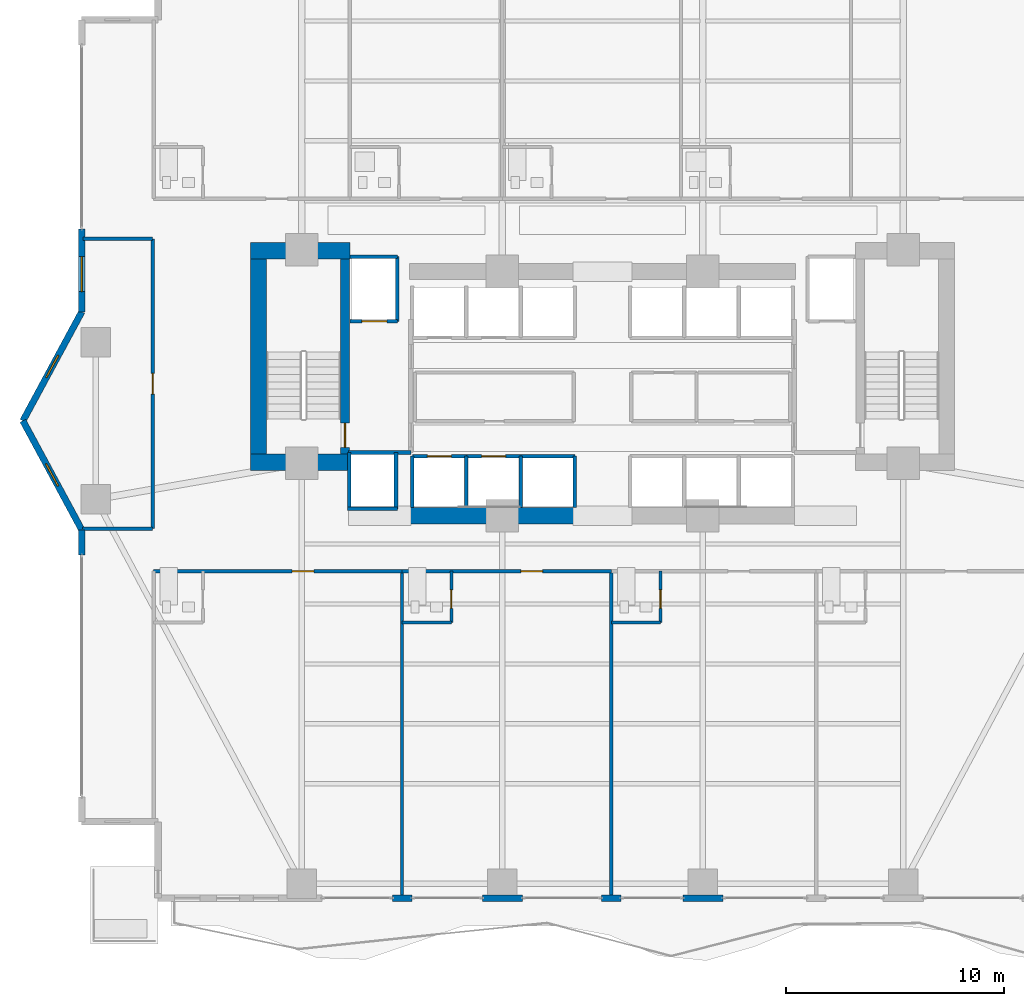
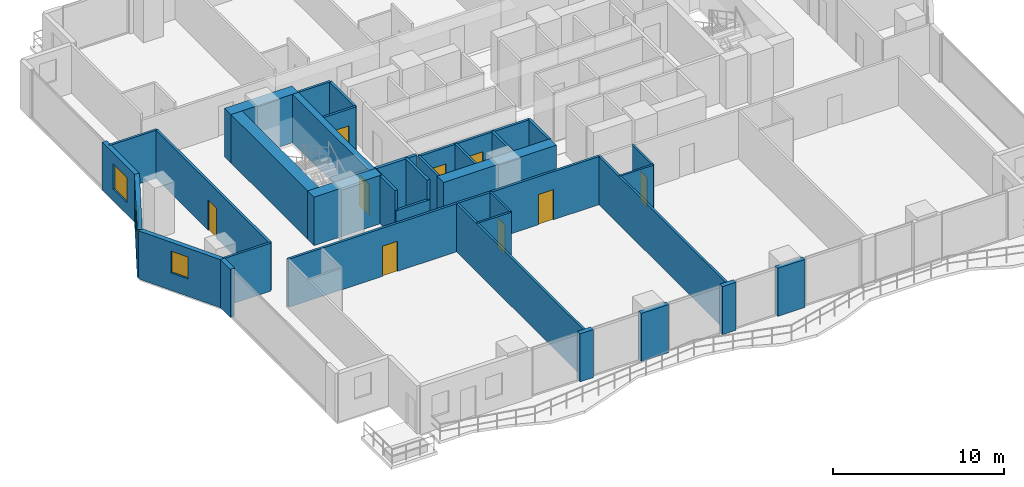
# One storey, part 20 of 28: 38 walls, 9 doors, 3 windows, 12 openings.
"""IFC4 building model written with IfcOpenShell, lengths in metres."""

import ifcopenshell
import ifcopenshell.guid

model = None  # the IFC model being written
_history = None  # IfcOwnerHistory: only IFC2X3 demands one
_inside = {}  # id of a spatial element -> (the spatial element, [elements in it])
_under = {}  # id of a project, library or spatial element -> (it, [spatial elements below it])
_declared = {}  # id of a project -> (the project, [libraries it declares])
_typed = {}  # id of a type object -> (the type object, [elements of that type])
_made_of = {}  # id of a material, layer set ... -> (it, [elements and type objects made of it])


def new_model(schema):
    """Start an empty IFC model of exactly this schema.

    Asked for "IFC4X3", IfcOpenShell would pick the latest addendum, in which some entities
    have other attributes; the version numbers below select the first issue.
    IFC2X3 requires an IfcOwnerHistory on every rooted entity: one is made here for all.
    """
    global model, _history
    if schema == "IFC4X3":
        model = ifcopenshell.file(schema_version=(4, 3, 0, 0))
    else:
        model = ifcopenshell.file(schema=schema)
    _inside.clear()
    _under.clear()
    _declared.clear()
    _typed.clear()
    _made_of.clear()
    _history = None
    if model.schema == "IFC2X3":
        org = make("IfcOrganization", Name="unknown")
        user = make(
            "IfcPersonAndOrganization",
            ThePerson=make("IfcPerson", FamilyName="unknown"),
            TheOrganization=org,
        )
        app = make(
            "IfcApplication",
            ApplicationDeveloper=org,
            Version="unknown",
            ApplicationFullName="unknown",
            ApplicationIdentifier="unknown",
        )
        _history = make(
            "IfcOwnerHistory",
            OwningUser=user,
            OwningApplication=app,
            ChangeAction="ADDED",
            CreationDate=0,
        )
    return model


def make(cls, **values):
    """One entity of the class cls with the attributes given. An attribute that is None is left unset."""
    return model.create_entity(
        cls, **{name: value for name, value in values.items() if value is not None}
    )


def rooted(cls, **values):
    """An entity with a GlobalId (a new one), such as an element, a storey or a relation."""
    return make(cls, GlobalId=ifcopenshell.guid.new(), OwnerHistory=_history, **values)


def si_unit(unit_type, name, prefix=None):
    """IfcSIUnit, for example si_unit("LENGTHUNIT", "METRE", prefix="MILLI")."""
    return make("IfcSIUnit", UnitType=unit_type, Prefix=prefix, Name=name)


def assignment(units):
    """IfcUnitAssignment: the units of a project."""
    return None if units is None else make("IfcUnitAssignment", Units=units)


def point(xyz):
    """IfcCartesianPoint."""
    return None if xyz is None else make("IfcCartesianPoint", Coordinates=xyz)


def direction(xyz):
    """IfcDirection."""
    return None if xyz is None else make("IfcDirection", DirectionRatios=xyz)


def frame(location, z_axis=None, x_axis=None):
    """IfcAxis2Placement3D, a coordinate frame: its origin and axes. An axis left out is left unset."""
    return make(
        "IfcAxis2Placement3D",
        Location=point(location),
        Axis=direction(z_axis),
        RefDirection=direction(x_axis),
    )


def frame_2d(location, x_axis=None):
    """IfcAxis2Placement2D, a coordinate frame in the plane: its origin and x axis."""
    return make(
        "IfcAxis2Placement2D", Location=point(location), RefDirection=direction(x_axis)
    )


def origin():
    """The frame at (0, 0, 0) with its axes left unset."""
    return frame((0.0, 0.0, 0.0))


def place(relative_to, where):
    """IfcLocalPlacement: puts the frame where relative to a parent placement (None: the world)."""
    return make(
        "IfcLocalPlacement", PlacementRelTo=relative_to, RelativePlacement=where
    )


def context(
    kind, dimensions, precision=None, world=None, true_north=None, identifier=None
):
    """IfcGeometricRepresentationContext, for example the 3D "Model" context."""
    return make(
        "IfcGeometricRepresentationContext",
        ContextIdentifier=identifier,
        ContextType=kind,
        CoordinateSpaceDimension=dimensions,
        Precision=precision,
        WorldCoordinateSystem=world,
        TrueNorth=true_north,
    )


def subcontext(parent, identifier, kind, view, scale=None):
    """IfcGeometricRepresentationSubContext, for example "Body" below "Model"."""
    return make(
        "IfcGeometricRepresentationSubContext",
        ContextIdentifier=identifier,
        ContextType=kind,
        ParentContext=parent,
        TargetScale=scale,
        TargetView=view,
    )


def project(units=None, contexts=None):
    """IfcProject with its units and contexts."""
    return rooted(
        "IfcProject",
        Name="project",
        RepresentationContexts=contexts,
        UnitsInContext=assignment(units),
    )


def spatial(cls, under=None, at=None, **own):
    """A site, building, storey or space (cls), placed at a placement, below another one or the project."""
    s = rooted(cls, ObjectPlacement=at, **own)
    if under is not None:
        _under.setdefault(under.id(), (under, []))[1].append(s)
    return s


def profile(cls, at=None, kind="AREA", **sizes):
    """A parametric profile (cls). Its sizes go by their IFC names, for example OverallWidth=200.0."""
    return make(cls, ProfileType=kind, Position=at, **sizes)


def rectangle(**sizes):
    """IfcRectangleProfileDef."""
    return profile("IfcRectangleProfileDef", **sizes)


def extrude(swept, where, along, depth):
    """IfcExtrudedAreaSolid: the profile swept, set in the frame where, extruded along a direction by depth."""
    return make(
        "IfcExtrudedAreaSolid",
        SweptArea=swept,
        Position=where,
        ExtrudedDirection=direction(along),
        Depth=depth,
    )


def shape(context_of_items, identifier, shape_type, items):
    """IfcShapeRepresentation: the items that make up one representation, for example the "Body"."""
    return make(
        "IfcShapeRepresentation",
        ContextOfItems=context_of_items,
        RepresentationIdentifier=identifier,
        RepresentationType=shape_type,
        Items=items,
    )


def material(Name=None, Category=None):
    """IfcMaterial."""
    return make("IfcMaterial", Name=Name, Category=Category)


def layer(
    of_material, thickness, ventilated=None, Name=None, Category=None, Priority=None
):
    """IfcMaterialLayer: one layer of a wall or slab, of a material (None: an air gap)."""
    return make(
        "IfcMaterialLayer",
        Material=of_material,
        LayerThickness=thickness,
        IsVentilated=ventilated,
        Name=Name,
        Category=Category,
        Priority=Priority,
    )


def layer_set(layers, Name=None):
    """IfcMaterialLayerSet."""
    return make("IfcMaterialLayerSet", MaterialLayers=layers, LayerSetName=Name)


def made_of(thing, what):
    """Note that an element or type object is made of a material, layer set ...; save() writes the relation."""
    if what is not None:
        _made_of.setdefault(what.id(), (what, []))[1].append(thing)
    return thing


def type_object(cls, material=None, **own):
    """A type object (cls), such as IfcWallType, which elements share."""
    return made_of(rooted(cls, **own), material)


def element(
    cls,
    number,
    at=None,
    inside=None,
    cuts=None,
    type_object=None,
    material=None,
    context=None,
    identifier="Body",
    shape_type=None,
    held_by="IfcProductDefinitionShape",
    body=None,
    shapes=None,
    **own,
):
    """One element of the class cls, such as IfcWall. Its Tag is "e" and its number.

    at: its placement. inside: the storey or other place that contains it. cuts: it is an
    opening in that element (IfcRelVoidsElement). A single representation is given by context,
    identifier, shape_type and body (its items); several are given by shapes. held_by: the class
    of the entity that holds the representations. save() writes the other relations.
    """
    e = rooted(cls, Tag="e%d" % number, ObjectPlacement=at, **own)
    if body is not None:
        shapes = [shape(context, identifier, shape_type, body)]
    if shapes is not None:
        e.Representation = make(held_by, Representations=shapes)
    if inside is not None:
        _inside.setdefault(inside.id(), (inside, []))[1].append(e)
    if cuts is not None:
        rooted(
            "IfcRelVoidsElement", RelatingBuildingElement=cuts, RelatedOpeningElement=e
        )
    if type_object is not None:
        _typed.setdefault(type_object.id(), (type_object, []))[1].append(e)
    return made_of(e, material)


def fill(opening, filler):
    """IfcRelFillsElement: the door or window that sits in an opening."""
    return rooted(
        "IfcRelFillsElement",
        RelatingOpeningElement=opening,
        RelatedBuildingElement=filler,
    )


def aggregate(whole, parts):
    """IfcRelAggregates: a whole, such as a stair, and the parts it consists of."""
    return rooted("IfcRelAggregates", RelatingObject=whole, RelatedObjects=parts)


def save(model, path):
    """Write the relations noted so far, then the file.

    IfcRelAggregates (storeys below a building ...), IfcRelContainedInSpatialStructure (elements
    in a storey), IfcRelDefinesByType, IfcRelAssociatesMaterial and IfcRelDeclares: one each for
    every whole, place, type object, material and project.
    """
    for whole, parts in _under.values():
        aggregate(whole, parts)
    for where, things in _inside.values():
        rooted(
            "IfcRelContainedInSpatialStructure",
            RelatedElements=things,
            RelatingStructure=where,
        )
    for kind, things in _typed.values():
        rooted("IfcRelDefinesByType", RelatedObjects=things, RelatingType=kind)
    for what, things in _made_of.values():
        rooted("IfcRelAssociatesMaterial", RelatedObjects=things, RelatingMaterial=what)
    for by, libraries in _declared.values():
        rooted("IfcRelDeclares", RelatingContext=by, RelatedDefinitions=libraries)
    model.write(path)


model = new_model("IFC4")

# Units and contexts
model_context = context("Model", 3, precision=1e-05, world=origin(), true_north=direction((0.0, 1.0)))
body_context = subcontext(model_context, "Body", "Model", "MODEL_VIEW")
ifc_project = project(units=[si_unit("LENGTHUNIT", "METRE"), si_unit("AREAUNIT", "SQUARE_METRE"), si_unit("VOLUMEUNIT", "CUBIC_METRE"), si_unit("PLANEANGLEUNIT", "RADIAN"), si_unit("MASSUNIT", "GRAM", prefix="KILO")], contexts=[model_context])

# Site, building, storey
site_placement = place(None, origin())
site = spatial("IfcSite", under=ifc_project, at=site_placement, CompositionType="ELEMENT")
building_placement = place(site_placement, origin())
building = spatial("IfcBuilding", under=site, at=building_placement, Name="Zuhayl Quay Hotel", CompositionType="ELEMENT")
storey_placement = place(building_placement, frame((0.0, 0.0, 121.199951171875)))
storey = spatial("IfcBuildingStorey", under=building, at=storey_placement, Name="L30", CompositionType="ELEMENT", Elevation=121.199951171875)

# Walls
ifc_material_1 = material(Name="Concrete C60/75", Category="concrete")
ifc_layer_1 = layer(ifc_material_1, 0.75, Name="Concrete C60/75", Category="concrete")
ifc_layer_set_1 = layer_set([ifc_layer_1], Name="Concrete C60/75")
wall_type_1 = type_object("IfcWallType", Name="WL_CORE_750", PredefinedType="SHEAR", material=ifc_layer_set_1)
wall_1_placement = place(storey_placement, frame((-16.159912109375, 14.304931640625, 0.0), z_axis=(0.0, 0.0, 1.0), x_axis=(1.0, 0.0, 0.0)))
element("IfcWall", 1, at=wall_1_placement, inside=storey, type_object=wall_type_1, Name="L30 Core Shear Wall CW_NW", PredefinedType="SHEAR", context=body_context, shape_type="SweptSolid", body=[
    extrude(rectangle(XDim=4.559814453125, YDim=0.75, at=frame_2d((2.27978515625, 0.0))), origin(), (0.0, 0.0, 1.0), 3.4599609375),
])
wall_2_placement = place(storey_placement, frame((-15.784912109375, 4.969970703125, 0.0), z_axis=(0.0, 0.0, 1.0), x_axis=(0.0, 1.0, 0.0)))
element("IfcWall", 2, at=wall_2_placement, inside=storey, type_object=wall_type_1, Name="L30 Core Shear Wall CW_W", PredefinedType="SHEAR", context=body_context, shape_type="SweptSolid", body=[
    extrude(rectangle(XDim=8.9599609375, YDim=0.75, at=frame_2d((4.47998046875, 0.0))), origin(), (0.0, 0.0, 1.0), 3.4599609375),
])
wall_3_placement = place(storey_placement, frame((-16.159912109375, 4.594970703125, 0.0), z_axis=(0.0, 0.0, 1.0), x_axis=(1.0, 0.0, 0.0)))
element("IfcWall", 3, at=wall_3_placement, inside=storey, type_object=wall_type_1, Name="L30 Core Shear Wall CW_SW", PredefinedType="SHEAR", context=body_context, shape_type="SweptSolid", body=[
    extrude(rectangle(XDim=4.559814453125, YDim=0.75, at=frame_2d((2.27978515625, 0.0))), origin(), (0.0, 0.0, 1.0), 3.4599609375),
])
wall_4_placement = place(storey_placement, frame((-8.85009765625, 2.14990234375, 0.0), z_axis=(0.0, 0.0, 1.0), x_axis=(1.0, 0.0, 0.0)))
element("IfcWall", 4, at=wall_4_placement, inside=storey, type_object=wall_type_1, Name="L30 Core Shear Wall CW_SC_W", PredefinedType="SHEAR", context=body_context, shape_type="SweptSolid", body=[
    extrude(rectangle(XDim=7.60009765625, YDim=0.75, at=frame_2d((3.800048828125, 0.0))), origin(), (0.0, 0.0, 1.0), 3.429931640625),
])
ifc_material_2 = material(Name="Precast concrete C45/55", Category="concrete")
ifc_layer_2 = layer(ifc_material_2, 0.300048828125, Name="Precast concrete C45/55", Category="concrete")
ifc_layer_set_2 = layer_set([ifc_layer_2], Name="Precast concrete C45/55")
wall_type_2 = type_object("IfcWallType", Name="WL_EXT_300", PredefinedType="STANDARD", material=ifc_layer_set_2)
wall_5_placement = place(storey_placement, frame((-23.89990234375, 0.35009765625, 0.0), z_axis=(0.0, 0.0, 1.0), x_axis=(0.0, 1.0, 0.0)))
element("IfcWall", 5, at=wall_5_placement, inside=storey, type_object=wall_type_2, Name="L30 Exterior Precast Wall ENV_L30_E02_EW2", PredefinedType="STANDARD", context=body_context, shape_type="SweptSolid", body=[
    extrude(rectangle(XDim=1.14990234375, YDim=0.300048828125, at=frame_2d((0.574951171875, 0.0))), origin(), (0.0, 0.0, 1.0), 3.429931640625),
])

# Wall, opening, window
wall_6_placement = place(storey_placement, frame((-23.89990234375, 1.5, 0.0), z_axis=(0.0, 0.0, 1.0), x_axis=(-0.475175525499, 0.879891027325, 0.0)))
wall_6 = element("IfcWall", 6, at=wall_6_placement, inside=storey, type_object=wall_type_2, Name="L30 Exterior Precast Wall ENV_L30_EW03", PredefinedType="STANDARD", context=body_context, shape_type="SweptSolid", body=[
    extrude(rectangle(XDim=5.6826171875, YDim=0.300048828125, at=frame_2d((2.84130859375, 0.0))), origin(), (0.0, 0.0, 1.0), 3.429931640625),
])
opening_1_placement = place(wall_6_placement, frame((2.290283203125, 0.0, 1.25)))
opening_1 = element("IfcOpeningElement", 7, at=opening_1_placement, cuts=wall_6, Name="Opening W01N", PredefinedType="OPENING", context=body_context, shape_type="SweptSolid", body=[
    extrude(rectangle(XDim=1.14990234375, YDim=1.550048828125, at=frame_2d((0.574951171875, 0.77490234375))), frame((0.0, 0.159912109375, 0.0), z_axis=(0.0, -1.0, 0.0), x_axis=(1.0, 0.0, 0.0)), (0.0, 0.0, 1.0), 0.320068359375),
])
ifc_material_3 = material(Name="Dark Ceramic-Fritted Solar Glass", Category="glass")
window_type_1 = type_object("IfcWindowType", Name="WN_NOTCH_1350", PartitioningType="SINGLE_PANEL", PredefinedType="WINDOW", material=ifc_material_3)
window_1_placement = place(opening_1_placement, origin())
window_1 = element("IfcWindow", 8, at=window_1_placement, inside=storey, type_object=window_type_1, Name="L30 Corner Notch Window 3", OverallHeight=1.550048828125, OverallWidth=1.14990234375, PartitioningType="SINGLE_PANEL", PredefinedType="WINDOW", context=body_context, shape_type="SweptSolid", body=[
    extrude(rectangle(XDim=1.14990234375, YDim=1.550048828125, at=frame_2d((0.574951171875, 0.77490234375))), frame((0.0, 0.030029296875, 0.0), z_axis=(0.0, -1.0, 0.0), x_axis=(1.0, 0.0, 0.0)), (0.0, 0.0, 1.0), 0.06005859375),
])
fill(opening_1, window_1)

wall_7_placement = place(storey_placement, frame((-26.60009765625, 6.5, 0.0), z_axis=(0.0, 0.0, 1.0), x_axis=(0.475175525499, 0.879891027325, 0.0)))
wall_7 = element("IfcWall", 9, at=wall_7_placement, inside=storey, type_object=wall_type_2, Name="L30 Exterior Precast Wall ENV_L30_EW04", PredefinedType="STANDARD", context=body_context, shape_type="SweptSolid", body=[
    extrude(rectangle(XDim=5.6826171875, YDim=0.300048828125, at=frame_2d((2.84130859375, 0.0))), origin(), (0.0, 0.0, 1.0), 3.429931640625),
])
opening_2_placement = place(wall_7_placement, frame((2.26611328125, 0.0, 1.25)))
opening_2 = element("IfcOpeningElement", 10, at=opening_2_placement, cuts=wall_7, Name="Opening W01N", PredefinedType="OPENING", context=body_context, shape_type="SweptSolid", body=[
    extrude(rectangle(XDim=1.14990234375, YDim=1.550048828125, at=frame_2d((0.574951171875, 0.77490234375))), frame((0.0, 0.159912109375, 0.0), z_axis=(0.0, -1.0, 0.0), x_axis=(1.0, 0.0, 0.0)), (0.0, 0.0, 1.0), 0.320068359375),
])
window_2_placement = place(opening_2_placement, origin())
window_2 = element("IfcWindow", 11, at=window_2_placement, inside=storey, type_object=window_type_1, Name="L30 Corner Notch Window 4", OverallHeight=1.550048828125, OverallWidth=1.14990234375, PartitioningType="SINGLE_PANEL", PredefinedType="WINDOW", context=body_context, shape_type="SweptSolid", body=[
    extrude(rectangle(XDim=1.14990234375, YDim=1.550048828125, at=frame_2d((0.574951171875, 0.77490234375))), frame((0.0, 0.030029296875, 0.0), z_axis=(0.0, -1.0, 0.0), x_axis=(1.0, 0.0, 0.0)), (0.0, 0.0, 1.0), 0.06005859375),
])
fill(opening_2, window_2)

wall_8_placement = place(storey_placement, frame((-23.89990234375, 11.5, 0.0), z_axis=(0.0, 0.0, 1.0), x_axis=(0.0, 1.0, 0.0)))
wall_8 = element("IfcWall", 12, at=wall_8_placement, inside=storey, type_object=wall_type_2, Name="L30 Exterior Precast Wall ENV_L30_E05_EW1", PredefinedType="STANDARD", context=body_context, shape_type="SweptSolid", body=[
    extrude(rectangle(XDim=3.800048828125, YDim=0.300048828125, at=frame_2d((1.89990234375, 0.0))), origin(), (0.0, 0.0, 1.0), 3.429931640625),
])
opening_3_placement = place(wall_8_placement, frame((0.93505859375, 0.0, 0.85009765625)))
opening_3 = element("IfcOpeningElement", 13, at=opening_3_placement, cuts=wall_8, Name="Opening W01", PredefinedType="OPENING", context=body_context, shape_type="SweptSolid", body=[
    extrude(rectangle(XDim=1.60009765625, YDim=1.800048828125, at=frame_2d((0.800048828125, 0.89990234375))), frame((0.0, 0.159912109375, 0.0), z_axis=(0.0, -1.0, 0.0), x_axis=(1.0, 0.0, 0.0)), (0.0, 0.0, 1.0), 0.320068359375),
])
window_type_2 = type_object("IfcWindowType", Name="WN_OPERABLE_1600", PartitioningType="DOUBLE_PANEL_VERTICAL", PredefinedType="WINDOW", material=ifc_material_3)
window_3_placement = place(opening_3_placement, origin())
window_3 = element("IfcWindow", 14, at=window_3_placement, inside=storey, type_object=window_type_2, Name="L30 Operable Facade Window 1-1", OverallHeight=1.800048828125, OverallWidth=1.60009765625, PartitioningType="SINGLE_PANEL", PredefinedType="WINDOW", context=body_context, shape_type="SweptSolid", body=[
    extrude(rectangle(XDim=1.60009765625, YDim=1.800048828125, at=frame_2d((0.800048828125, 0.89990234375))), frame((0.0, 0.030029296875, 0.0), z_axis=(0.0, -1.0, 0.0), x_axis=(1.0, 0.0, 0.0)), (0.0, 0.0, 1.0), 0.06005859375),
])
fill(opening_3, window_3)

# Walls
wall_9_placement = place(storey_placement, frame((5.52001953125, -15.39990234375, 0.0), z_axis=(0.0, 0.0, 1.0), x_axis=(-1.0, 0.0, 0.0)))
element("IfcWall", 15, at=wall_9_placement, inside=storey, type_object=wall_type_2, Name="L30 Exterior Precast Wall ENV_L30_S_EW4", PredefinedType="STANDARD", context=body_context, shape_type="SweptSolid", body=[
    extrude(rectangle(XDim=1.840087890625, YDim=0.300048828125, at=frame_2d((0.919921875, 0.0))), origin(), (0.0, 0.0, 1.0), 3.429931640625),
])
wall_10_placement = place(storey_placement, frame((0.85009765625, -15.39990234375, 0.0), z_axis=(0.0, 0.0, 1.0), x_axis=(-1.0, 0.0, 0.0)))
element("IfcWall", 16, at=wall_10_placement, inside=storey, type_object=wall_type_2, Name="L30 Exterior Precast Wall ENV_L30_S_EW5", PredefinedType="STANDARD", context=body_context, shape_type="SweptSolid", body=[
    extrude(rectangle(XDim=0.900146484375, YDim=0.300048828125, at=frame_2d((0.4501953125, 0.0))), origin(), (0.0, 0.0, 1.0), 3.429931640625),
])
wall_11_placement = place(storey_placement, frame((-3.679931640625, -15.39990234375, 0.0), z_axis=(0.0, 0.0, 1.0), x_axis=(-1.0, 0.0, 0.0)))
element("IfcWall", 17, at=wall_11_placement, inside=storey, type_object=wall_type_2, Name="L30 Exterior Precast Wall ENV_L30_S_EW6", PredefinedType="STANDARD", context=body_context, shape_type="SweptSolid", body=[
    extrude(rectangle(XDim=1.840087890625, YDim=0.300048828125, at=frame_2d((0.919921875, 0.0))), origin(), (0.0, 0.0, 1.0), 3.429931640625),
])
wall_12_placement = place(storey_placement, frame((-8.75, -15.39990234375, 0.0), z_axis=(0.0, 0.0, 1.0), x_axis=(-1.0, 0.0, 0.0)))
element("IfcWall", 18, at=wall_12_placement, inside=storey, type_object=wall_type_2, Name="L30 Exterior Precast Wall ENV_L30_S_EW7", PredefinedType="STANDARD", context=body_context, shape_type="SweptSolid", body=[
    extrude(rectangle(XDim=0.89990234375, YDim=0.300048828125, at=frame_2d((0.449951171875, 0.0))), origin(), (0.0, 0.0, 1.0), 3.429931640625),
])
ifc_material_4 = material(Name="Acoustic Gypsum Partition STC-58")
ifc_layer_3 = layer(ifc_material_4, 0.14990234375, Name="Acoustic Gypsum Partition STC-58")
ifc_layer_set_3 = layer_set([ifc_layer_3], Name="Acoustic Gypsum Partition STC-58")
wall_type_3 = type_object("IfcWallType", Name="WL_PART_150", PredefinedType="PARTITIONING", material=ifc_layer_set_3)
for number, where, z_axis, x_axis, name in (
    (19, (-9.199951171875, -15.320068359375, 0.0), (0.0, 0.0, 1.0), (0.0, 1.0, 0.0), "L30 Partition IW_L30_SU01_E"),
    (20, (0.39990234375, -15.320068359375, 0.0), (0.0, 0.0, 1.0), (0.0, 1.0, 0.0), "L30 Partition IW_L30_SU02_E"),
):
    element("IfcWall", number, at=place(storey_placement, frame(where, z_axis=z_axis, x_axis=x_axis)), inside=storey, type_object=wall_type_3, Name=name, PredefinedType="PARTITIONING", context=body_context, shape_type="SweptSolid", body=[
        extrude(rectangle(XDim=14.920166015625, YDim=0.14990234375, at=frame_2d((7.4599609375, 0.0))), origin(), (0.0, 0.0, 1.0), 3.429931640625),
    ])
wall_13_placement = place(storey_placement, frame((-23.866943359375, 1.550048828125, 0.0), z_axis=(0.0, 0.0, 1.0), x_axis=(1.0, 0.0, 0.0)))
element("IfcWall", 21, at=wall_13_placement, inside=storey, type_object=wall_type_3, Name="L30 Partition IW_L30_WPROW_1_S", PredefinedType="PARTITIONING", context=body_context, shape_type="SweptSolid", body=[
    extrude(rectangle(XDim=3.217041015625, YDim=0.14990234375, at=frame_2d((1.6083984375, 0.0))), origin(), (0.0, 0.0, 1.0), 3.429931640625),
])
wall_14_placement = place(storey_placement, frame((-23.840087890625, 14.85009765625, 0.0), z_axis=(0.0, 0.0, 1.0), x_axis=(1.0, 0.0, 0.0)))
element("IfcWall", 22, at=wall_14_placement, inside=storey, type_object=wall_type_3, Name="L30 Partition IW_L30_WPROW_1_N", PredefinedType="PARTITIONING", context=body_context, shape_type="SweptSolid", body=[
    extrude(rectangle(XDim=3.190185546875, YDim=0.14990234375, at=frame_2d((1.59521484375, 0.0))), origin(), (0.0, 0.0, 1.0), 3.429931640625),
])

# Wall, opening, door
ifc_layer_4 = layer(ifc_material_4, 0.159912109375, Name="Acoustic Gypsum Partition STC-58")
ifc_layer_set_4 = layer_set([ifc_layer_4], Name="Acoustic Gypsum Partition STC-58")
wall_type_4 = type_object("IfcWallType", Name="WL_PART_CORR_160", PredefinedType="PARTITIONING", material=ifc_layer_set_4)
wall_15_placement = place(storey_placement, frame((-20.60009765625, -0.39990234375, 0.0), z_axis=(0.0, 0.0, 1.0), x_axis=(1.0, 0.0, 0.0)))
wall_15 = element("IfcWall", 23, at=wall_15_placement, inside=storey, type_object=wall_type_4, Name="L30 Partition IW_L30_SU01_COR", PredefinedType="PARTITIONING", context=body_context, shape_type="SweptSolid", body=[
    extrude(rectangle(XDim=11.400146484375, YDim=0.159912109375, at=frame_2d((5.7001953125, 0.0))), origin(), (0.0, 0.0, 1.0), 3.429931640625),
])
opening_4_placement = place(wall_15_placement, frame((6.35009765625, 0.0, 0.0)))
opening_4 = element("IfcOpeningElement", 24, at=opening_4_placement, cuts=wall_15, Name="Opening D03L", PredefinedType="OPENING", context=body_context, shape_type="SweptSolid", body=[
    extrude(rectangle(XDim=1.0, YDim=2.14990234375, at=frame_2d((0.5, 1.074951171875))), frame((0.0, 0.08984375, 0.0), z_axis=(0.0, -1.0, 0.0), x_axis=(1.0, 0.0, 0.0)), (0.0, 0.0, 1.0), 0.179931640625),
])
ifc_material_5 = material(Name="Solid Walnut Acoustic Fire Door")
door_type_1 = type_object("IfcDoorType", Name="DR_SUITE_1000", OperationType="NOTDEFINED", PredefinedType="DOOR", material=ifc_material_5)
door_1_placement = place(opening_4_placement, origin())
door_1 = element("IfcDoor", 25, at=door_1_placement, inside=storey, type_object=door_type_1, Name="L30 City-View Junior Suite L30-01 Entrance Door", OperationType="SINGLE_SWING_RIGHT", OverallHeight=2.14990234375, OverallWidth=1.0, PredefinedType="DOOR", context=body_context, shape_type="SweptSolid", body=[
    extrude(rectangle(XDim=1.0, YDim=2.14990234375, at=frame_2d((0.5, 1.074951171875))), frame((0.0, 0.02490234375, 0.0), z_axis=(0.0, -1.0, 0.0), x_axis=(1.0, 0.0, 0.0)), (0.0, 0.0, 1.0), 0.050048828125),
])
fill(opening_4, door_1)

wall_16_placement = place(storey_placement, frame((-9.199951171875, -0.39990234375, 0.0), z_axis=(0.0, 0.0, 1.0), x_axis=(1.0, 0.0, 0.0)))
wall_16 = element("IfcWall", 26, at=wall_16_placement, inside=storey, type_object=wall_type_4, Name="L30 Partition IW_L30_SU02_COR", PredefinedType="PARTITIONING", context=body_context, shape_type="SweptSolid", body=[
    extrude(rectangle(XDim=9.599853515625, YDim=0.159912109375, at=frame_2d((4.7998046875, 0.0))), origin(), (0.0, 0.0, 1.0), 3.429931640625),
])
opening_5_placement = place(wall_16_placement, frame((5.449951171875, 0.0, 0.0)))
opening_5 = element("IfcOpeningElement", 27, at=opening_5_placement, cuts=wall_16, Name="Opening D03L", PredefinedType="OPENING", context=body_context, shape_type="SweptSolid", body=[
    extrude(rectangle(XDim=1.0, YDim=2.14990234375, at=frame_2d((0.5, 1.074951171875))), frame((0.0, 0.08984375, 0.0), z_axis=(0.0, -1.0, 0.0), x_axis=(1.0, 0.0, 0.0)), (0.0, 0.0, 1.0), 0.179931640625),
])
door_2_placement = place(opening_5_placement, origin())
door_2 = element("IfcDoor", 28, at=door_2_placement, inside=storey, type_object=door_type_1, Name="L30 City-View Junior Suite L30-02 Entrance Door", OperationType="SINGLE_SWING_RIGHT", OverallHeight=2.14990234375, OverallWidth=1.0, PredefinedType="DOOR", context=body_context, shape_type="SweptSolid", body=[
    extrude(rectangle(XDim=1.0, YDim=2.14990234375, at=frame_2d((0.5, 1.074951171875))), frame((0.0, 0.02490234375, 0.0), z_axis=(0.0, -1.0, 0.0), x_axis=(1.0, 0.0, 0.0)), (0.0, 0.0, 1.0), 0.050048828125),
])
fill(opening_5, door_2)

wall_17_placement = place(storey_placement, frame((-20.64990234375, 1.550048828125, 0.0), z_axis=(0.0, 0.0, 1.0), x_axis=(0.0, 1.0, 0.0)))
wall_17 = element("IfcWall", 29, at=wall_17_placement, inside=storey, type_object=wall_type_4, Name="L30 Partition IW_L30_WPROW_1_E", PredefinedType="PARTITIONING", context=body_context, shape_type="SweptSolid", body=[
    extrude(rectangle(XDim=13.300048828125, YDim=0.159912109375, at=frame_2d((6.64990234375, 0.0))), origin(), (0.0, 0.0, 1.0), 3.429931640625),
])
opening_6_placement = place(wall_17_placement, frame((6.175048828125, 0.0, 0.0)))
opening_6 = element("IfcOpeningElement", 30, at=opening_6_placement, cuts=wall_17, Name="Opening D03", PredefinedType="OPENING", context=body_context, shape_type="SweptSolid", body=[
    extrude(rectangle(XDim=0.949951171875, YDim=2.14990234375, at=frame_2d((0.47509765625, 1.074951171875))), frame((0.0, 0.08984375, 0.0), z_axis=(0.0, -1.0, 0.0), x_axis=(1.0, 0.0, 0.0)), (0.0, 0.0, 1.0), 0.179931640625),
])
door_type_2 = type_object("IfcDoorType", Name="DR_SUITE_950", OperationType="NOTDEFINED", PredefinedType="DOOR", material=ifc_material_5)
door_3_placement = place(opening_6_placement, origin())
door_3 = element("IfcDoor", 31, at=door_3_placement, inside=storey, type_object=door_type_2, Name="L30 West Prow Panoramic Salon L30 Door", OperationType="SINGLE_SWING_RIGHT", OverallHeight=2.14990234375, OverallWidth=0.949951171875, PredefinedType="DOOR", context=body_context, shape_type="SweptSolid", body=[
    extrude(rectangle(XDim=0.949951171875, YDim=2.14990234375, at=frame_2d((0.47509765625, 1.074951171875))), frame((0.0, 0.02490234375, 0.0), z_axis=(0.0, -1.0, 0.0), x_axis=(1.0, 0.0, 0.0)), (0.0, 0.0, 1.0), 0.050048828125),
])
fill(opening_6, door_3)

ifc_material_6 = material(Name="Moisture-Resistant Sanitarychase Gypsum")
ifc_layer_5 = layer(ifc_material_6, 0.135009765625, Name="Moisture-Resistant Sanitarychase Gypsum")
ifc_layer_set_5 = layer_set([ifc_layer_5], Name="Moisture-Resistant Sanitarychase Gypsum")
wall_type_5 = type_object("IfcWallType", Name="WL_PART_PLUMB_150", PredefinedType="PLUMBINGWALL", material=ifc_layer_set_5)
wall_18_placement = place(storey_placement, frame((-6.93994140625, -2.760009765625, 0.0), z_axis=(0.0, 0.0, 1.0), x_axis=(0.0, 1.0, 0.0)))
wall_18 = element("IfcWall", 32, at=wall_18_placement, inside=storey, type_object=wall_type_5, Name="L30 Partition IW_L30_SU02_BE", PredefinedType="PLUMBINGWALL", context=body_context, shape_type="SweptSolid", body=[
    extrude(rectangle(XDim=2.360107421875, YDim=0.135009765625, at=frame_2d((1.18017578125, 0.0))), origin(), (0.0, 0.0, 1.0), 3.429931640625),
])
opening_7_placement = place(wall_18_placement, frame((0.64990234375, 0.0, 0.0)))
opening_7 = element("IfcOpeningElement", 33, at=opening_7_placement, cuts=wall_18, Name="Opening D04", PredefinedType="OPENING", context=body_context, shape_type="SweptSolid", body=[
    extrude(rectangle(XDim=0.85009765625, YDim=2.10009765625, at=frame_2d((0.425048828125, 1.050048828125))), frame((0.0, 0.077392578125, 0.0), z_axis=(0.0, -1.0, 0.0), x_axis=(1.0, 0.0, 0.0)), (0.0, 0.0, 1.0), 0.155029296875),
])
ifc_material_7 = material(Name="Moisture-Resistant Walnut Veneer")
door_type_3 = type_object("IfcDoorType", Name="DR_BATH_850", OperationType="NOTDEFINED", PredefinedType="DOOR", material=ifc_material_7)
door_4_placement = place(opening_7_placement, origin())
door_4 = element("IfcDoor", 34, at=door_4_placement, inside=storey, type_object=door_type_3, Name="L30 City-View Junior Suite L30-02 En-Suite Door", OperationType="SINGLE_SWING_LEFT", OverallHeight=2.10009765625, OverallWidth=0.85009765625, PredefinedType="DOOR", context=body_context, shape_type="SweptSolid", body=[
    extrude(rectangle(XDim=0.85009765625, YDim=2.10009765625, at=frame_2d((0.425048828125, 1.050048828125))), frame((0.0, 0.02490234375, 0.0), z_axis=(0.0, -1.0, 0.0), x_axis=(1.0, 0.0, 0.0)), (0.0, 0.0, 1.0), 0.050048828125),
])
fill(opening_7, door_4)

wall_19_placement = place(storey_placement, frame((2.659912109375, -2.760009765625, 0.0), z_axis=(0.0, 0.0, 1.0), x_axis=(0.0, 1.0, 0.0)))
wall_19 = element("IfcWall", 35, at=wall_19_placement, inside=storey, type_object=wall_type_5, Name="L30 Partition IW_L30_SU03_BE", PredefinedType="PLUMBINGWALL", context=body_context, shape_type="SweptSolid", body=[
    extrude(rectangle(XDim=2.360107421875, YDim=0.135009765625, at=frame_2d((1.18017578125, 0.0))), origin(), (0.0, 0.0, 1.0), 3.429931640625),
])
opening_8_placement = place(wall_19_placement, frame((0.64990234375, 0.0, 0.0)))
opening_8 = element("IfcOpeningElement", 36, at=opening_8_placement, cuts=wall_19, Name="Opening D04", PredefinedType="OPENING", context=body_context, shape_type="SweptSolid", body=[
    extrude(rectangle(XDim=0.85009765625, YDim=2.10009765625, at=frame_2d((0.425048828125, 1.050048828125))), frame((0.0, 0.077392578125, 0.0), z_axis=(0.0, -1.0, 0.0), x_axis=(1.0, 0.0, 0.0)), (0.0, 0.0, 1.0), 0.155029296875),
])
door_5_placement = place(opening_8_placement, origin())
door_5 = element("IfcDoor", 37, at=door_5_placement, inside=storey, type_object=door_type_3, Name="L30 City-View Junior Suite L30-03 En-Suite Door", OperationType="SINGLE_SWING_LEFT", OverallHeight=2.10009765625, OverallWidth=0.85009765625, PredefinedType="DOOR", context=body_context, shape_type="SweptSolid", body=[
    extrude(rectangle(XDim=0.85009765625, YDim=2.10009765625, at=frame_2d((0.425048828125, 1.050048828125))), frame((0.0, 0.02490234375, 0.0), z_axis=(0.0, -1.0, 0.0), x_axis=(1.0, 0.0, 0.0)), (0.0, 0.0, 1.0), 0.050048828125),
])
fill(opening_8, door_5)

# Walls
for number, where, z_axis, x_axis, name in (
    (38, (-9.199951171875, -2.760009765625, 0.0), (0.0, 0.0, 1.0), (1.0, 0.0, 0.0), "L30 Partition IW_L30_SU02_BS"),
    (39, (0.39990234375, -2.760009765625, 0.0), (0.0, 0.0, 1.0), (1.0, 0.0, 0.0), "L30 Partition IW_L30_SU03_BS"),
):
    element("IfcWall", number, at=place(storey_placement, frame(where, z_axis=z_axis, x_axis=x_axis)), inside=storey, type_object=wall_type_5, Name=name, PredefinedType="PLUMBINGWALL", context=body_context, shape_type="SweptSolid", body=[
        extrude(rectangle(XDim=2.260009765625, YDim=0.135009765625, at=frame_2d((1.1298828125, 0.0))), origin(), (0.0, 0.0, 1.0), 3.429931640625),
    ])

# Wall, opening, door
ifc_material_8 = material(Name="Gypsum Fireboard Assembly EI-90")
ifc_layer_6 = layer(ifc_material_8, 0.1650390625, Name="Gypsum Fireboard Assembly EI-90")
ifc_layer_set_6 = layer_set([ifc_layer_6], Name="Gypsum Fireboard Assembly EI-90")
wall_type_6 = type_object("IfcWallType", Name="WL_PART_SHAFT_160", PredefinedType="PARTITIONING", material=ifc_layer_set_6)
wall_20_placement = place(storey_placement, frame((-11.580078125, 11.070068359375, 0.0), z_axis=(0.0, 0.0, 1.0), x_axis=(1.0, 0.0, 0.0)))
wall_20 = element("IfcWall", 40, at=wall_20_placement, inside=storey, type_object=wall_type_6, Name="L30 Partition IW_L30_SH_FL1_F", PredefinedType="PARTITIONING", context=body_context, shape_type="SweptSolid", body=[
    extrude(rectangle(XDim=2.16015625, YDim=0.1650390625, at=frame_2d((1.080078125, 0.0))), origin(), (0.0, 0.0, 1.0), 3.429931640625),
])
opening_9_placement = place(wall_20_placement, frame((0.530029296875, 0.0, 0.0)))
opening_9 = element("IfcOpeningElement", 41, at=opening_9_placement, cuts=wall_20, Name="Opening LD2", PredefinedType="OPENING", context=body_context, shape_type="SweptSolid", body=[
    extrude(rectangle(XDim=1.14990234375, YDim=2.25, at=frame_2d((0.574951171875, 1.125))), frame((0.0, 0.092529296875, 0.0), z_axis=(0.0, -1.0, 0.0), x_axis=(1.0, 0.0, 0.0)), (0.0, 0.0, 1.0), 0.18505859375),
])
ifc_material_9 = material(Name="Brushed Stainless Steel", Category="steel")
door_type_4 = type_object("IfcDoorType", Name="DR_LIFT_FF_1100", OperationType="SLIDING_TO_LEFT", PredefinedType="DOOR", material=ifc_material_9)
door_6_placement = place(opening_9_placement, origin())
door_6 = element("IfcDoor", 42, at=door_6_placement, inside=storey, type_object=door_type_4, Name="L30 Lift FL1 Sliding Landing Door", OperationType="SLIDING_TO_LEFT", OverallHeight=2.25, OverallWidth=1.14990234375, PredefinedType="DOOR", context=body_context, shape_type="SweptSolid", body=[
    extrude(rectangle(XDim=1.14990234375, YDim=2.25, at=frame_2d((0.574951171875, 1.125))), frame((0.0, 0.02490234375, 0.0), z_axis=(0.0, -1.0, 0.0), x_axis=(1.0, 0.0, 0.0)), (0.0, 0.0, 1.0), 0.050048828125),
])
fill(opening_9, door_6)

wall_21_placement = place(storey_placement, frame((-8.72998046875, 4.8798828125, 0.0), z_axis=(0.0, 0.0, 1.0), x_axis=(1.0, 0.0, 0.0)))
wall_21 = element("IfcWall", 43, at=wall_21_placement, inside=storey, type_object=wall_type_6, Name="L30 Partition IW_L30_SH_LP1_F", PredefinedType="PARTITIONING", context=body_context, shape_type="SweptSolid", body=[
    extrude(rectangle(XDim=2.47998046875, YDim=0.1650390625, at=frame_2d((1.239990234375, 0.0))), origin(), (0.0, 0.0, 1.0), 3.429931640625),
])
opening_10_placement = place(wall_21_placement, frame((0.68994140625, 0.0, 0.0)))
opening_10 = element("IfcOpeningElement", 44, at=opening_10_placement, cuts=wall_21, Name="Opening LD1", PredefinedType="OPENING", context=body_context, shape_type="SweptSolid", body=[
    extrude(rectangle(XDim=1.10009765625, YDim=2.25, at=frame_2d((0.550048828125, 1.125))), frame((0.0, 0.092529296875, 0.0), z_axis=(0.0, -1.0, 0.0), x_axis=(1.0, 0.0, 0.0)), (0.0, 0.0, 1.0), 0.18505859375),
])
door_type_5 = type_object("IfcDoorType", Name="DR_LIFT_PASS_1100", OperationType="SLIDING_TO_LEFT", PredefinedType="DOOR", material=ifc_material_9)
door_7_placement = place(opening_10_placement, origin())
door_7 = element("IfcDoor", 45, at=door_7_placement, inside=storey, type_object=door_type_5, Name="L30 Lift LP1 Sliding Landing Door", OperationType="SLIDING_TO_LEFT", OverallHeight=2.25, OverallWidth=1.10009765625, PredefinedType="DOOR", context=body_context, shape_type="SweptSolid", body=[
    extrude(rectangle(XDim=1.10009765625, YDim=2.25, at=frame_2d((0.550048828125, 1.125))), frame((0.0, 0.02490234375, 0.0), z_axis=(0.0, -1.0, 0.0), x_axis=(1.0, 0.0, 0.0)), (0.0, 0.0, 1.0), 0.050048828125),
])
fill(opening_10, door_7)

wall_22_placement = place(storey_placement, frame((-6.25, 4.8798828125, 0.0), z_axis=(0.0, 0.0, 1.0), x_axis=(1.0, 0.0, 0.0)))
wall_22 = element("IfcWall", 46, at=wall_22_placement, inside=storey, type_object=wall_type_6, Name="L30 Partition IW_L30_SH_LP2_F", PredefinedType="PARTITIONING", context=body_context, shape_type="SweptSolid", body=[
    extrude(rectangle(XDim=2.5, YDim=0.1650390625, at=frame_2d((1.25, 0.0))), origin(), (0.0, 0.0, 1.0), 3.429931640625),
])
opening_11_placement = place(wall_22_placement, frame((0.699951171875, 0.0, 0.0)))
opening_11 = element("IfcOpeningElement", 47, at=opening_11_placement, cuts=wall_22, Name="Opening LD1", PredefinedType="OPENING", context=body_context, shape_type="SweptSolid", body=[
    extrude(rectangle(XDim=1.10009765625, YDim=2.25, at=frame_2d((0.550048828125, 1.125))), frame((0.0, 0.092529296875, 0.0), z_axis=(0.0, -1.0, 0.0), x_axis=(1.0, 0.0, 0.0)), (0.0, 0.0, 1.0), 0.18505859375),
])
door_8_placement = place(opening_11_placement, origin())
door_8 = element("IfcDoor", 48, at=door_8_placement, inside=storey, type_object=door_type_5, Name="L30 Lift LP2 Sliding Landing Door", OperationType="SLIDING_TO_LEFT", OverallHeight=2.25, OverallWidth=1.10009765625, PredefinedType="DOOR", context=body_context, shape_type="SweptSolid", body=[
    extrude(rectangle(XDim=1.10009765625, YDim=2.25, at=frame_2d((0.550048828125, 1.125))), frame((0.0, 0.02490234375, 0.0), z_axis=(0.0, -1.0, 0.0), x_axis=(1.0, 0.0, 0.0)), (0.0, 0.0, 1.0), 0.050048828125),
])
fill(opening_11, door_8)

# Walls
wall_23_placement = place(storey_placement, frame((-9.419921875, 11.070068359375, 0.0), z_axis=(0.0, 0.0, 1.0), x_axis=(0.0, 1.0, 0.0)))
element("IfcWall", 49, at=wall_23_placement, inside=storey, type_object=wall_type_6, Name="L30 Partition IW_L30_SH_FL1_E", PredefinedType="PARTITIONING", context=body_context, shape_type="SweptSolid", body=[
    extrude(rectangle(XDim=2.9599609375, YDim=0.1650390625, at=frame_2d((1.47998046875, 0.0))), origin(), (0.0, 0.0, 1.0), 3.429931640625),
])
wall_24_placement = place(storey_placement, frame((-11.580078125, 14.030029296875, 0.0), z_axis=(0.0, 0.0, 1.0), x_axis=(1.0, 0.0, 0.0)))
element("IfcWall", 50, at=wall_24_placement, inside=storey, type_object=wall_type_6, Name="L30 Partition IW_L30_SH_FL1_B", PredefinedType="PARTITIONING", context=body_context, shape_type="SweptSolid", body=[
    extrude(rectangle(XDim=2.16015625, YDim=0.1650390625, at=frame_2d((1.080078125, 0.0))), origin(), (0.0, 0.0, 1.0), 3.429931640625),
])
for number, where, z_axis, x_axis, name in (
    (51, (-8.72998046875, 2.52001953125, 0.0), (0.0, 0.0, 1.0), (0.0, 1.0, 0.0), "L30 Partition IW_L30_SH_LP1_W"),
    (52, (-6.25, 2.52001953125, 0.0), (0.0, 0.0, 1.0), (0.0, 1.0, 0.0), "L30 Partition IW_L30_SH_LP1_E"),
    (53, (-3.75, 2.52001953125, 0.0), (0.0, 0.0, 1.0), (0.0, 1.0, 0.0), "L30 Partition IW_L30_SH_LP2_E"),
):
    element("IfcWall", number, at=place(storey_placement, frame(where, z_axis=z_axis, x_axis=x_axis)), inside=storey, type_object=wall_type_6, Name=name, PredefinedType="PARTITIONING", context=body_context, shape_type="SweptSolid", body=[
        extrude(rectangle(XDim=2.35986328125, YDim=0.1650390625, at=frame_2d((1.179931640625, 0.0))), origin(), (0.0, 0.0, 1.0), 3.429931640625),
    ])
wall_25_placement = place(storey_placement, frame((-3.75, 4.8798828125, 0.0), z_axis=(0.0, 0.0, 1.0), x_axis=(1.0, 0.0, 0.0)))
element("IfcWall", 54, at=wall_25_placement, inside=storey, type_object=wall_type_6, Name="L30 Partition IW_L30_SH_MP1_F", PredefinedType="PARTITIONING", context=body_context, shape_type="SweptSolid", body=[
    extrude(rectangle(XDim=2.47998046875, YDim=0.1650390625, at=frame_2d((1.239990234375, 0.0))), origin(), (0.0, 0.0, 1.0), 3.429931640625),
])
wall_26_placement = place(storey_placement, frame((-1.27001953125, 2.52001953125, 0.0), z_axis=(0.0, 0.0, 1.0), x_axis=(0.0, 1.0, 0.0)))
element("IfcWall", 55, at=wall_26_placement, inside=storey, type_object=wall_type_6, Name="L30 Partition IW_L30_SH_MP1_E", PredefinedType="PARTITIONING", context=body_context, shape_type="SweptSolid", body=[
    extrude(rectangle(XDim=2.35986328125, YDim=0.1650390625, at=frame_2d((1.179931640625, 0.0))), origin(), (0.0, 0.0, 1.0), 3.429931640625),
])
wall_27_placement = place(storey_placement, frame((-11.6298828125, 2.469970703125, 0.0), z_axis=(0.0, 0.0, 1.0), x_axis=(0.0, 1.0, 0.0)))
element("IfcWall", 56, at=wall_27_placement, inside=storey, type_object=wall_type_6, Name="L30 Partition IW_L30_RISER_W", PredefinedType="PARTITIONING", context=body_context, shape_type="SweptSolid", body=[
    extrude(rectangle(XDim=2.580078125, YDim=0.1650390625, at=frame_2d((1.2900390625, 0.0))), origin(), (0.0, 0.0, 1.0), 3.429931640625),
])
wall_28_placement = place(storey_placement, frame((-11.7099609375, 2.469970703125, 0.0), z_axis=(0.0, 0.0, 1.0), x_axis=(1.0, 0.0, 0.0)))
element("IfcWall", 57, at=wall_28_placement, inside=storey, type_object=wall_type_6, Name="L30 Partition IW_L30_RISER_S", PredefinedType="PARTITIONING", context=body_context, shape_type="SweptSolid", body=[
    extrude(rectangle(XDim=2.31005859375, YDim=0.1650390625, at=frame_2d((1.155029296875, 0.0))), origin(), (0.0, 0.0, 1.0), 2.030029296875),
])
ifc_layer_7 = layer(ifc_material_8, 0.179931640625, Name="Gypsum Fireboard Assembly EI-90")
ifc_layer_set_7 = layer_set([ifc_layer_7], Name="Gypsum Fireboard Assembly EI-90")
wall_type_7 = type_object("IfcWallType", Name="WL_PART_SHAFT_180", PredefinedType="PARTITIONING", material=ifc_layer_set_7)
wall_29_placement = place(storey_placement, frame((-9.469970703125, 2.449951171875, 0.0), z_axis=(0.0, 0.0, 1.0), x_axis=(0.0, 1.0, 0.0)))
element("IfcWall", 58, at=wall_29_placement, inside=storey, type_object=wall_type_7, Name="L30 Partition IW_L30_RISER_E", PredefinedType="PARTITIONING", context=body_context, shape_type="SweptSolid", body=[
    extrude(rectangle(XDim=2.60009765625, YDim=0.179931640625, at=frame_2d((1.300048828125, 0.0))), origin(), (0.0, 0.0, 1.0), 3.429931640625),
])
ifc_material_10 = material(Name="Gypsum Fireboard Assembly EI-120")
ifc_layer_8 = layer(ifc_material_10, 0.199951171875, Name="Gypsum Fireboard Assembly EI-120")
ifc_layer_set_8 = layer_set([ifc_layer_8], Name="Gypsum Fireboard Assembly EI-120")
wall_type_8 = type_object("IfcWallType", Name="WL_PART_SHAFT_200", PredefinedType="PARTITIONING", material=ifc_layer_set_8)
wall_30_placement = place(storey_placement, frame((-11.64990234375, 5.050048828125, 0.0), z_axis=(0.0, 0.0, 1.0), x_axis=(1.0, 0.0, 0.0)))
element("IfcWall", 59, at=wall_30_placement, inside=storey, type_object=wall_type_8, Name="L30 Partition IW_L30_FSAE_W_S", PredefinedType="PARTITIONING", context=body_context, shape_type="SweptSolid", body=[
    extrude(rectangle(XDim=2.849853515625, YDim=0.199951171875, at=frame_2d((1.4248046875, 0.0))), origin(), (0.0, 0.0, 1.0), 3.429931640625),
])

# Wall, opening, door
ifc_layer_9 = layer(ifc_material_1, 0.39990234375, Name="Concrete C60/75", Category="concrete")
ifc_layer_set_9 = layer_set([ifc_layer_9], Name="Concrete C60/75")
wall_type_9 = type_object("IfcWallType", Name="WL_STAIR_400", PredefinedType="SHEAR", material=ifc_layer_set_9)
wall_31_placement = place(storey_placement, frame((-11.820068359375, 4.969970703125, 0.0), z_axis=(0.0, 0.0, 1.0), x_axis=(0.0, 1.0, 0.0)))
wall_31 = element("IfcWall", 60, at=wall_31_placement, inside=storey, type_object=wall_type_9, Name="L30 Core Shear Wall SW_ST1", PredefinedType="SHEAR", context=body_context, shape_type="SweptSolid", body=[
    extrude(rectangle(XDim=8.9599609375, YDim=0.39990234375, at=frame_2d((4.47998046875, 0.0))), origin(), (0.0, 0.0, 1.0), 3.4599609375),
])
opening_12_placement = place(wall_31_placement, frame((0.31005859375, 0.0, 0.0)))
opening_12 = element("IfcOpeningElement", 61, at=opening_12_placement, cuts=wall_31, Name="Opening D01", PredefinedType="OPENING", context=body_context, shape_type="SweptSolid", body=[
    extrude(rectangle(XDim=1.1201171875, YDim=2.219970703125, at=frame_2d((0.56005859375, 1.10986328125))), frame((0.0, 0.2099609375, 0.0), z_axis=(0.0, -1.0, 0.0), x_axis=(1.0, 0.0, 0.0)), (0.0, 0.0, 1.0), 0.419921875),
])
ifc_material_11 = material(Name="Steel ASTM A992 Grade 50", Category="steel")
door_type_6 = type_object("IfcDoorType", Name="DR_STAIR_90_1100", OperationType="NOTDEFINED", PredefinedType="DOOR", material=ifc_material_11)
door_9_placement = place(opening_12_placement, origin())
door_9 = element("IfcDoor", 62, at=door_9_placement, inside=storey, type_object=door_type_6, Name="L30 Smokeproof Exit Stair ST1 Door", OperationType="SINGLE_SWING_LEFT", OverallHeight=2.219970703125, OverallWidth=1.1201171875, PredefinedType="DOOR", context=body_context, shape_type="SweptSolid", body=[
    extrude(rectangle(XDim=1.1201171875, YDim=2.219970703125, at=frame_2d((0.56005859375, 1.10986328125))), frame((0.0, 0.02490234375, 0.0), z_axis=(0.0, -1.0, 0.0), x_axis=(1.0, 0.0, 0.0)), (0.0, 0.0, 1.0), 0.050048828125),
])
fill(opening_12, door_9)

save(model, "model.ifc")
